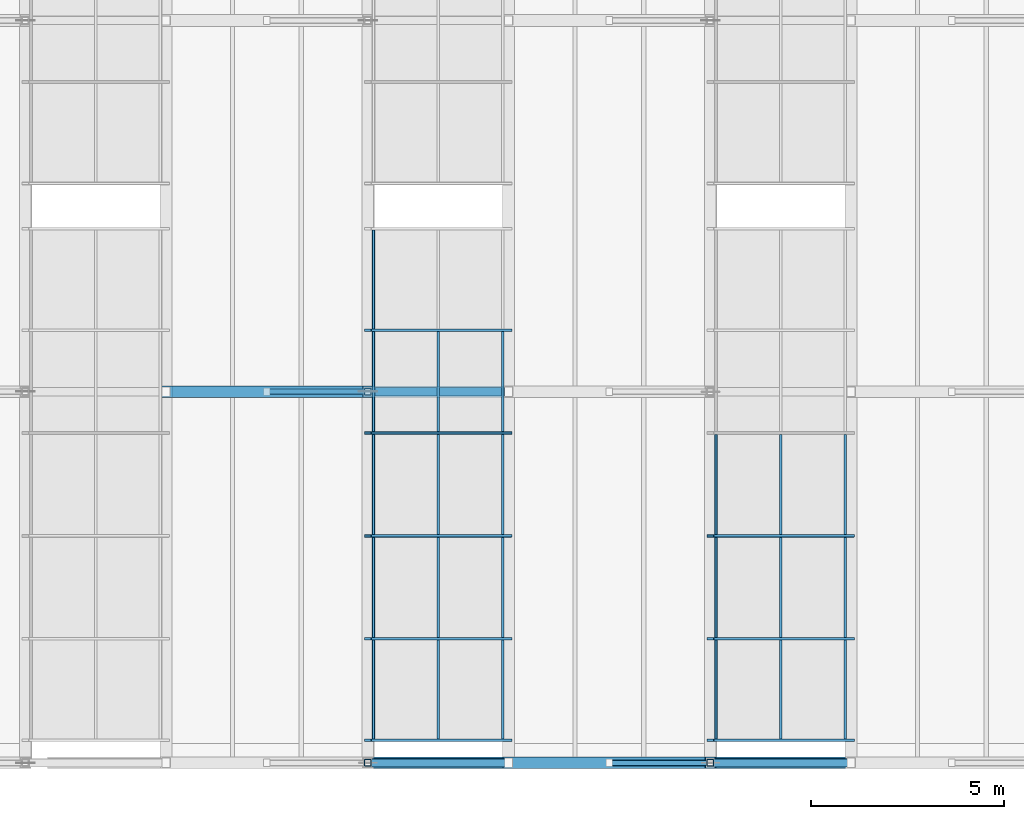
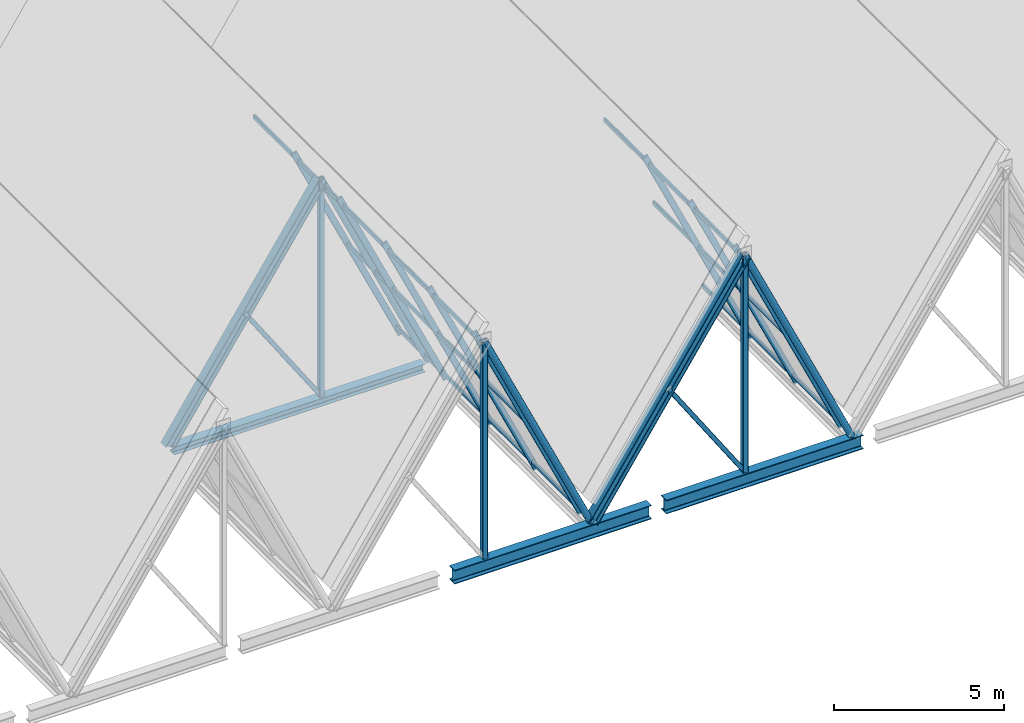
# One storey, part 43 of 99: 41 members, 2 beams, 2 elements without a shape of their own.
"""IFC4 building model written with IfcOpenShell, lengths in metres."""

from ifc_helpers import new_model, si_unit, direction, frame, origin, origin_2d, place, context, subcontext, project, spatial, hollow_rectangle, hollow_circle, i_section, extrude, material, material_profile, profile_set, type_object, element, aggregate, save


model = new_model("IFC4")

# Units and contexts
model_context = context("Model", 3, precision=1e-05, world=origin(), true_north=direction((0.0, 1.0)))
body_context = subcontext(model_context, "Body", "Model", "MODEL_VIEW")
ifc_project = project(units=[si_unit("LENGTHUNIT", "METRE"), si_unit("AREAUNIT", "SQUARE_METRE"), si_unit("VOLUMEUNIT", "CUBIC_METRE"), si_unit("PLANEANGLEUNIT", "RADIAN"), si_unit("MASSUNIT", "GRAM", prefix="KILO")], contexts=[model_context])

# Site, building, storey
site_placement = place(None, origin())
site = spatial("IfcSite", under=ifc_project, at=site_placement, CompositionType="ELEMENT")
building_placement = place(site_placement, origin())
building = spatial("IfcBuilding", under=site, at=building_placement, Name="Bramveld Media Centre", CompositionType="ELEMENT")
storey_placement = place(building_placement, frame((0.0, 0.0, 13.800048828125)))
storey = spatial("IfcBuildingStorey", under=building, at=storey_placement, Name="L03", CompositionType="ELEMENT", Elevation=13.800048828125)

# Curtain wall, members
ifc_material_1 = material(Name="Thermally broken anodized bronze aluminium unitized curtain wall with solar-control triple glazing", Category="aluminium")
curtain_wall_type = type_object("IfcCurtainWallType", Name="CW-SAW-13300x8606", PredefinedType="NOTDEFINED", material=ifc_material_1)
curtain_wall_1_placement = place(storey_placement, origin())
curtain_wall_1 = element("IfcCurtainWall", 1, at=curtain_wall_1_placement, inside=storey, type_object=curtain_wall_type, Name="V1 sawtooth north-light clerestory B3-S1", PredefinedType="NOTDEFINED")
ifc_material_2 = material(Name="Thermally broken anodized bronze aluminium EN AW-6063 T6 curtain-wall framing", Category="aluminium")
ifc_material_profile_1 = material_profile(ifc_material_2, hollow_rectangle(XDim=0.070068359375, YDim=0.199951171875, WallThickness=0.00439453125, InnerFilletRadius=0.00439453125, OuterFilletRadius=0.009033203125, at=origin_2d()), Name="AL-MULL 70x200")
ifc_profile_set_1 = profile_set([ifc_material_profile_1], Name="Thermally broken anodized bronze aluminium EN AW-6063 T6 curtain-wall framing")
member_type_1 = type_object("IfcMemberType", Name="CW-MULL-SLP", PredefinedType="MULLION", material=ifc_profile_set_1)
member_1_placement = place(storey_placement, frame((150.5712890625, 0.5849609375, -0.02001953125), z_axis=(-0.423956992265, 0.0, 0.90568232218), x_axis=(0.0, -1.0, 0.0)))
member_1 = element("IfcMember", 2, at=member_1_placement, type_object=member_type_1, Name="CW-SA-13386 sloped mullion 1", PredefinedType="MULLION", context=body_context, shape_type="SweptSolid", body=[
    extrude(hollow_rectangle(XDim=0.070068359375, YDim=0.199951171875, WallThickness=0.00439453125, InnerFilletRadius=0.00439453125, OuterFilletRadius=0.009033203125, at=origin_2d()), origin(), (0.0, 0.0, 1.0), 8.5791015625),
])
member_2_placement = place(storey_placement, frame((150.5712890625, 3.2099609375, -0.02001953125), z_axis=(-0.423956992265, 0.0, 0.90568232218), x_axis=(0.0, -1.0, 0.0)))
member_2 = element("IfcMember", 3, at=member_2_placement, type_object=member_type_1, Name="CW-SA-13386 sloped mullion 2", PredefinedType="MULLION", context=body_context, shape_type="SweptSolid", body=[
    extrude(hollow_rectangle(XDim=0.070068359375, YDim=0.199951171875, WallThickness=0.00439453125, InnerFilletRadius=0.00439453125, OuterFilletRadius=0.009033203125, at=origin_2d()), origin(), (0.0, 0.0, 1.0), 8.5791015625),
])
member_3_placement = place(storey_placement, frame((150.5712890625, 5.8701171875, -0.02001953125), z_axis=(-0.423956992265, 0.0, 0.90568232218), x_axis=(0.0, -1.0, 0.0)))
member_3 = element("IfcMember", 4, at=member_3_placement, type_object=member_type_1, Name="CW-SA-13386 sloped mullion 3", PredefinedType="MULLION", context=body_context, shape_type="SweptSolid", body=[
    extrude(hollow_rectangle(XDim=0.070068359375, YDim=0.199951171875, WallThickness=0.00439453125, InnerFilletRadius=0.00439453125, OuterFilletRadius=0.009033203125, at=origin_2d()), origin(), (0.0, 0.0, 1.0), 8.5791015625),
])
member_4_placement = place(storey_placement, frame((150.5712890625, 8.530029296875, -0.02001953125), z_axis=(-0.423956992265, 0.0, 0.90568232218), x_axis=(0.0, -1.0, 0.0)))
member_4 = element("IfcMember", 5, at=member_4_placement, type_object=member_type_1, Name="CW-SA-13386 sloped mullion 4", PredefinedType="MULLION", context=body_context, shape_type="SweptSolid", body=[
    extrude(hollow_rectangle(XDim=0.070068359375, YDim=0.199951171875, WallThickness=0.00439453125, InnerFilletRadius=0.00439453125, OuterFilletRadius=0.009033203125, at=origin_2d()), origin(), (0.0, 0.0, 1.0), 8.5791015625),
])
member_5_placement = place(storey_placement, frame((150.5712890625, 11.18994140625, -0.02001953125), z_axis=(-0.423956992265, 0.0, 0.90568232218), x_axis=(0.0, -1.0, 0.0)))
member_5 = element("IfcMember", 6, at=member_5_placement, type_object=member_type_1, Name="CW-SA-13386 sloped mullion 5", PredefinedType="MULLION", context=body_context, shape_type="SweptSolid", body=[
    extrude(hollow_rectangle(XDim=0.070068359375, YDim=0.199951171875, WallThickness=0.00439453125, InnerFilletRadius=0.00439453125, OuterFilletRadius=0.009033203125, at=origin_2d()), origin(), (0.0, 0.0, 1.0), 8.5791015625),
])

curtain_wall_2_placement = place(storey_placement, origin())
curtain_wall_2 = element("IfcCurtainWall", 7, at=curtain_wall_2_placement, inside=storey, type_object=curtain_wall_type, Name="V1 sawtooth north-light clerestory B4-S1", PredefinedType="NOTDEFINED")
member_6_placement = place(storey_placement, frame((159.4287109375, 0.5849609375, -0.02001953125), z_axis=(-0.423980334249, 0.0, 0.905671395248), x_axis=(0.0, -1.0, 0.0)))
member_6 = element("IfcMember", 8, at=member_6_placement, type_object=member_type_1, Name="CW-SA-13386 sloped mullion 1", PredefinedType="MULLION", context=body_context, shape_type="SweptSolid", body=[
    extrude(hollow_rectangle(XDim=0.070068359375, YDim=0.199951171875, WallThickness=0.00439453125, InnerFilletRadius=0.00439453125, OuterFilletRadius=0.009033203125, at=origin_2d()), origin(), (0.0, 0.0, 1.0), 8.579345703125),
])
member_7_placement = place(storey_placement, frame((159.4287109375, 3.2099609375, -0.02001953125), z_axis=(-0.423980334249, 0.0, 0.905671395248), x_axis=(0.0, -1.0, 0.0)))
member_7 = element("IfcMember", 9, at=member_7_placement, type_object=member_type_1, Name="CW-SA-13386 sloped mullion 2", PredefinedType="MULLION", context=body_context, shape_type="SweptSolid", body=[
    extrude(hollow_rectangle(XDim=0.070068359375, YDim=0.199951171875, WallThickness=0.00439453125, InnerFilletRadius=0.00439453125, OuterFilletRadius=0.009033203125, at=origin_2d()), origin(), (0.0, 0.0, 1.0), 8.579345703125),
])
member_8_placement = place(storey_placement, frame((159.4287109375, 5.8701171875, -0.02001953125), z_axis=(-0.423980334249, 0.0, 0.905671395248), x_axis=(0.0, -1.0, 0.0)))
member_8 = element("IfcMember", 10, at=member_8_placement, type_object=member_type_1, Name="CW-SA-13386 sloped mullion 3", PredefinedType="MULLION", context=body_context, shape_type="SweptSolid", body=[
    extrude(hollow_rectangle(XDim=0.070068359375, YDim=0.199951171875, WallThickness=0.00439453125, InnerFilletRadius=0.00439453125, OuterFilletRadius=0.009033203125, at=origin_2d()), origin(), (0.0, 0.0, 1.0), 8.579345703125),
])

# Member
ifc_material_3 = material(Name="Thermally broken anodized bronze aluminium EN AW-6063 T6 curtain-wall framing", Category="aluminium")
ifc_material_profile_2 = material_profile(ifc_material_3, hollow_rectangle(XDim=0.070068359375, YDim=0.14990234375, WallThickness=0.00390625, InnerFilletRadius=0.00390625, OuterFilletRadius=0.008056640625, at=origin_2d()), Name="AL-TRAN 70x150")
ifc_profile_set_2 = profile_set([ifc_material_profile_2], Name="Thermally broken anodized bronze aluminium EN AW-6063 T6 curtain-wall framing")
member_type_2 = type_object("IfcMemberType", Name="CW-TRAN-SLP", PredefinedType="USERDEFINED", material=ifc_profile_set_2)
member_9_placement = place(storey_placement, frame((150.42578125, 0.6201171875, 0.290771484375), z_axis=(0.0, 1.0, 0.0), x_axis=(-1.0, 0.0, 0.0)))
member_9 = element("IfcMember", 11, at=member_9_placement, type_object=member_type_2, Name="CW-SA-13386 transom 1.1", ObjectType="TRANSOM", PredefinedType="USERDEFINED", context=body_context, shape_type="SweptSolid", body=[
    extrude(hollow_rectangle(XDim=0.070068359375, YDim=0.14990234375, WallThickness=0.00390625, InnerFilletRadius=0.00390625, OuterFilletRadius=0.008056640625, at=origin_2d()), origin(), (0.0, 0.0, 1.0), 2.554931640625),
])

member_10_placement = place(storey_placement, frame((148.752685546875, 0.6201171875, 3.864990234375), z_axis=(0.0, 1.0, 0.0), x_axis=(-1.0, 0.0, 0.0)))
member_10 = element("IfcMember", 12, at=member_10_placement, type_object=member_type_2, Name="CW-SA-13386 transom 1.2", ObjectType="TRANSOM", PredefinedType="USERDEFINED", context=body_context, shape_type="SweptSolid", body=[
    extrude(hollow_rectangle(XDim=0.070068359375, YDim=0.14990234375, WallThickness=0.00390625, InnerFilletRadius=0.00390625, OuterFilletRadius=0.008056640625, at=origin_2d()), origin(), (0.0, 0.0, 1.0), 2.554931640625),
])

member_11_placement = place(storey_placement, frame((147.07958984375, 0.6201171875, 7.439208984375), z_axis=(0.0, 1.0, 0.0), x_axis=(-1.0, 0.0, 0.0)))
member_11 = element("IfcMember", 13, at=member_11_placement, type_object=member_type_2, Name="CW-SA-13386 transom 1.3", ObjectType="TRANSOM", PredefinedType="USERDEFINED", context=body_context, shape_type="SweptSolid", body=[
    extrude(hollow_rectangle(XDim=0.070068359375, YDim=0.14990234375, WallThickness=0.00390625, InnerFilletRadius=0.00390625, OuterFilletRadius=0.008056640625, at=origin_2d()), origin(), (0.0, 0.0, 1.0), 2.554931640625),
])

member_12_placement = place(storey_placement, frame((150.42578125, 3.2451171875, 0.290771484375), z_axis=(0.0, 1.0, 0.0), x_axis=(-1.0, 0.0, 0.0)))
member_12 = element("IfcMember", 14, at=member_12_placement, type_object=member_type_2, Name="CW-SA-13386 transom 2.1", ObjectType="TRANSOM", PredefinedType="USERDEFINED", context=body_context, shape_type="SweptSolid", body=[
    extrude(hollow_rectangle(XDim=0.070068359375, YDim=0.14990234375, WallThickness=0.00390625, InnerFilletRadius=0.00390625, OuterFilletRadius=0.008056640625, at=origin_2d()), origin(), (0.0, 0.0, 1.0), 2.58984375),
])

member_13_placement = place(storey_placement, frame((148.752685546875, 3.2451171875, 3.864990234375), z_axis=(0.0, 1.0, 0.0), x_axis=(-1.0, 0.0, 0.0)))
member_13 = element("IfcMember", 15, at=member_13_placement, type_object=member_type_2, Name="CW-SA-13386 transom 2.2", ObjectType="TRANSOM", PredefinedType="USERDEFINED", context=body_context, shape_type="SweptSolid", body=[
    extrude(hollow_rectangle(XDim=0.070068359375, YDim=0.14990234375, WallThickness=0.00390625, InnerFilletRadius=0.00390625, OuterFilletRadius=0.008056640625, at=origin_2d()), origin(), (0.0, 0.0, 1.0), 2.58984375),
])

member_14_placement = place(storey_placement, frame((147.07958984375, 3.2451171875, 7.439208984375), z_axis=(0.0, 1.0, 0.0), x_axis=(-1.0, 0.0, 0.0)))
member_14 = element("IfcMember", 16, at=member_14_placement, type_object=member_type_2, Name="CW-SA-13386 transom 2.3", ObjectType="TRANSOM", PredefinedType="USERDEFINED", context=body_context, shape_type="SweptSolid", body=[
    extrude(hollow_rectangle(XDim=0.070068359375, YDim=0.14990234375, WallThickness=0.00390625, InnerFilletRadius=0.00390625, OuterFilletRadius=0.008056640625, at=origin_2d()), origin(), (0.0, 0.0, 1.0), 2.58984375),
])

member_15_placement = place(storey_placement, frame((150.42578125, 5.905029296875, 0.290771484375), z_axis=(0.0, 1.0, 0.0), x_axis=(-1.0, 0.0, 0.0)))
member_15 = element("IfcMember", 17, at=member_15_placement, type_object=member_type_2, Name="CW-SA-13386 transom 3.1", ObjectType="TRANSOM", PredefinedType="USERDEFINED", context=body_context, shape_type="SweptSolid", body=[
    extrude(hollow_rectangle(XDim=0.070068359375, YDim=0.14990234375, WallThickness=0.00390625, InnerFilletRadius=0.00390625, OuterFilletRadius=0.008056640625, at=origin_2d()), origin(), (0.0, 0.0, 1.0), 2.590087890625),
])

member_16_placement = place(storey_placement, frame((148.752685546875, 5.905029296875, 3.864990234375), z_axis=(0.0, 1.0, 0.0), x_axis=(-1.0, 0.0, 0.0)))
member_16 = element("IfcMember", 18, at=member_16_placement, type_object=member_type_2, Name="CW-SA-13386 transom 3.2", ObjectType="TRANSOM", PredefinedType="USERDEFINED", context=body_context, shape_type="SweptSolid", body=[
    extrude(hollow_rectangle(XDim=0.070068359375, YDim=0.14990234375, WallThickness=0.00390625, InnerFilletRadius=0.00390625, OuterFilletRadius=0.008056640625, at=origin_2d()), origin(), (0.0, 0.0, 1.0), 2.590087890625),
])

member_17_placement = place(storey_placement, frame((147.07958984375, 5.905029296875, 7.439208984375), z_axis=(0.0, 1.0, 0.0), x_axis=(-1.0, 0.0, 0.0)))
member_17 = element("IfcMember", 19, at=member_17_placement, type_object=member_type_2, Name="CW-SA-13386 transom 3.3", ObjectType="TRANSOM", PredefinedType="USERDEFINED", context=body_context, shape_type="SweptSolid", body=[
    extrude(hollow_rectangle(XDim=0.070068359375, YDim=0.14990234375, WallThickness=0.00390625, InnerFilletRadius=0.00390625, OuterFilletRadius=0.008056640625, at=origin_2d()), origin(), (0.0, 0.0, 1.0), 2.590087890625),
])

member_18_placement = place(storey_placement, frame((150.42578125, 8.56494140625, 0.290771484375), z_axis=(0.0, 1.0, 0.0), x_axis=(-1.0, 0.0, 0.0)))
member_18 = element("IfcMember", 20, at=member_18_placement, type_object=member_type_2, Name="CW-SA-13386 transom 4.1", ObjectType="TRANSOM", PredefinedType="USERDEFINED", context=body_context, shape_type="SweptSolid", body=[
    extrude(hollow_rectangle(XDim=0.070068359375, YDim=0.14990234375, WallThickness=0.00390625, InnerFilletRadius=0.00390625, OuterFilletRadius=0.008056640625, at=origin_2d()), origin(), (0.0, 0.0, 1.0), 2.590087890625),
])

member_19_placement = place(storey_placement, frame((148.752685546875, 8.56494140625, 3.864990234375), z_axis=(0.0, 1.0, 0.0), x_axis=(-1.0, 0.0, 0.0)))
member_19 = element("IfcMember", 21, at=member_19_placement, type_object=member_type_2, Name="CW-SA-13386 transom 4.2", ObjectType="TRANSOM", PredefinedType="USERDEFINED", context=body_context, shape_type="SweptSolid", body=[
    extrude(hollow_rectangle(XDim=0.070068359375, YDim=0.14990234375, WallThickness=0.00390625, InnerFilletRadius=0.00390625, OuterFilletRadius=0.008056640625, at=origin_2d()), origin(), (0.0, 0.0, 1.0), 2.590087890625),
])

member_20_placement = place(storey_placement, frame((147.07958984375, 8.56494140625, 7.439208984375), z_axis=(0.0, 1.0, 0.0), x_axis=(-1.0, 0.0, 0.0)))
member_20 = element("IfcMember", 22, at=member_20_placement, type_object=member_type_2, Name="CW-SA-13386 transom 4.3", ObjectType="TRANSOM", PredefinedType="USERDEFINED", context=body_context, shape_type="SweptSolid", body=[
    extrude(hollow_rectangle(XDim=0.070068359375, YDim=0.14990234375, WallThickness=0.00390625, InnerFilletRadius=0.00390625, OuterFilletRadius=0.008056640625, at=origin_2d()), origin(), (0.0, 0.0, 1.0), 2.590087890625),
])

member_21_placement = place(storey_placement, frame((147.07958984375, 11.22509765625, 7.439208984375), z_axis=(0.0, 1.0, 0.0), x_axis=(-1.0, 0.0, 0.0)))
member_21 = element("IfcMember", 23, at=member_21_placement, type_object=member_type_2, Name="CW-SA-13386 transom 5.3", ObjectType="TRANSOM", PredefinedType="USERDEFINED", context=body_context, shape_type="SweptSolid", body=[
    extrude(hollow_rectangle(XDim=0.070068359375, YDim=0.14990234375, WallThickness=0.00390625, InnerFilletRadius=0.00390625, OuterFilletRadius=0.008056640625, at=origin_2d()), origin(), (0.0, 0.0, 1.0), 2.554931640625),
])

aggregate(curtain_wall_1, [member_1, member_2, member_3, member_4, member_5, member_9, member_10, member_11, member_12, member_13, member_14, member_15, member_16, member_17, member_18, member_19, member_20, member_21])

member_22_placement = place(storey_placement, frame((159.283203125, 0.6201171875, 0.290771484375), z_axis=(0.0, 1.0, 0.0), x_axis=(-1.0, 0.0, 0.0)))
member_22 = element("IfcMember", 24, at=member_22_placement, type_object=member_type_2, Name="CW-SA-13386 transom 1.1", ObjectType="TRANSOM", PredefinedType="USERDEFINED", context=body_context, shape_type="SweptSolid", body=[
    extrude(hollow_rectangle(XDim=0.070068359375, YDim=0.14990234375, WallThickness=0.00390625, InnerFilletRadius=0.00390625, OuterFilletRadius=0.008056640625, at=origin_2d()), origin(), (0.0, 0.0, 1.0), 2.554931640625),
])

member_23_placement = place(storey_placement, frame((157.60986328125, 0.6201171875, 3.864990234375), z_axis=(0.0, 1.0, 0.0), x_axis=(-1.0, 0.0, 0.0)))
member_23 = element("IfcMember", 25, at=member_23_placement, type_object=member_type_2, Name="CW-SA-13386 transom 1.2", ObjectType="TRANSOM", PredefinedType="USERDEFINED", context=body_context, shape_type="SweptSolid", body=[
    extrude(hollow_rectangle(XDim=0.070068359375, YDim=0.14990234375, WallThickness=0.00390625, InnerFilletRadius=0.00390625, OuterFilletRadius=0.008056640625, at=origin_2d()), origin(), (0.0, 0.0, 1.0), 2.554931640625),
])

member_24_placement = place(storey_placement, frame((155.936767578125, 0.6201171875, 7.439208984375), z_axis=(0.0, 1.0, 0.0), x_axis=(-1.0, 0.0, 0.0)))
member_24 = element("IfcMember", 26, at=member_24_placement, type_object=member_type_2, Name="CW-SA-13386 transom 1.3", ObjectType="TRANSOM", PredefinedType="USERDEFINED", context=body_context, shape_type="SweptSolid", body=[
    extrude(hollow_rectangle(XDim=0.070068359375, YDim=0.14990234375, WallThickness=0.00390625, InnerFilletRadius=0.00390625, OuterFilletRadius=0.008056640625, at=origin_2d()), origin(), (0.0, 0.0, 1.0), 2.554931640625),
])

member_25_placement = place(storey_placement, frame((159.283203125, 3.2451171875, 0.290771484375), z_axis=(0.0, 1.0, 0.0), x_axis=(-1.0, 0.0, 0.0)))
member_25 = element("IfcMember", 27, at=member_25_placement, type_object=member_type_2, Name="CW-SA-13386 transom 2.1", ObjectType="TRANSOM", PredefinedType="USERDEFINED", context=body_context, shape_type="SweptSolid", body=[
    extrude(hollow_rectangle(XDim=0.070068359375, YDim=0.14990234375, WallThickness=0.00390625, InnerFilletRadius=0.00390625, OuterFilletRadius=0.008056640625, at=origin_2d()), origin(), (0.0, 0.0, 1.0), 2.58984375),
])

member_26_placement = place(storey_placement, frame((157.60986328125, 3.2451171875, 3.864990234375), z_axis=(0.0, 1.0, 0.0), x_axis=(-1.0, 0.0, 0.0)))
member_26 = element("IfcMember", 28, at=member_26_placement, type_object=member_type_2, Name="CW-SA-13386 transom 2.2", ObjectType="TRANSOM", PredefinedType="USERDEFINED", context=body_context, shape_type="SweptSolid", body=[
    extrude(hollow_rectangle(XDim=0.070068359375, YDim=0.14990234375, WallThickness=0.00390625, InnerFilletRadius=0.00390625, OuterFilletRadius=0.008056640625, at=origin_2d()), origin(), (0.0, 0.0, 1.0), 2.58984375),
])

member_27_placement = place(storey_placement, frame((155.936767578125, 3.2451171875, 7.439208984375), z_axis=(0.0, 1.0, 0.0), x_axis=(-1.0, 0.0, 0.0)))
member_27 = element("IfcMember", 29, at=member_27_placement, type_object=member_type_2, Name="CW-SA-13386 transom 2.3", ObjectType="TRANSOM", PredefinedType="USERDEFINED", context=body_context, shape_type="SweptSolid", body=[
    extrude(hollow_rectangle(XDim=0.070068359375, YDim=0.14990234375, WallThickness=0.00390625, InnerFilletRadius=0.00390625, OuterFilletRadius=0.008056640625, at=origin_2d()), origin(), (0.0, 0.0, 1.0), 2.58984375),
])

member_28_placement = place(storey_placement, frame((159.283203125, 5.905029296875, 0.290771484375), z_axis=(0.0, 1.0, 0.0), x_axis=(-1.0, 0.0, 0.0)))
member_28 = element("IfcMember", 30, at=member_28_placement, type_object=member_type_2, Name="CW-SA-13386 transom 3.1", ObjectType="TRANSOM", PredefinedType="USERDEFINED", context=body_context, shape_type="SweptSolid", body=[
    extrude(hollow_rectangle(XDim=0.070068359375, YDim=0.14990234375, WallThickness=0.00390625, InnerFilletRadius=0.00390625, OuterFilletRadius=0.008056640625, at=origin_2d()), origin(), (0.0, 0.0, 1.0), 2.590087890625),
])

member_29_placement = place(storey_placement, frame((157.60986328125, 5.905029296875, 3.864990234375), z_axis=(0.0, 1.0, 0.0), x_axis=(-1.0, 0.0, 0.0)))
member_29 = element("IfcMember", 31, at=member_29_placement, type_object=member_type_2, Name="CW-SA-13386 transom 3.2", ObjectType="TRANSOM", PredefinedType="USERDEFINED", context=body_context, shape_type="SweptSolid", body=[
    extrude(hollow_rectangle(XDim=0.070068359375, YDim=0.14990234375, WallThickness=0.00390625, InnerFilletRadius=0.00390625, OuterFilletRadius=0.008056640625, at=origin_2d()), origin(), (0.0, 0.0, 1.0), 2.590087890625),
])

member_30_placement = place(storey_placement, frame((155.936767578125, 5.905029296875, 7.439208984375), z_axis=(0.0, 1.0, 0.0), x_axis=(-1.0, 0.0, 0.0)))
member_30 = element("IfcMember", 32, at=member_30_placement, type_object=member_type_2, Name="CW-SA-13386 transom 3.3", ObjectType="TRANSOM", PredefinedType="USERDEFINED", context=body_context, shape_type="SweptSolid", body=[
    extrude(hollow_rectangle(XDim=0.070068359375, YDim=0.14990234375, WallThickness=0.00390625, InnerFilletRadius=0.00390625, OuterFilletRadius=0.008056640625, at=origin_2d()), origin(), (0.0, 0.0, 1.0), 2.590087890625),
])

aggregate(curtain_wall_2, [member_6, member_7, member_8, member_22, member_23, member_24, member_25, member_26, member_27, member_28, member_29, member_30])

# Members
ifc_material_4 = material(Name="Steel S355J2H", Category="steel")
ifc_material_profile_3 = material_profile(ifc_material_4, hollow_circle(Radius=0.109619140625, WallThickness=0.012451171875, at=origin_2d()), Name="CHS 219.1x12.5")
ifc_profile_set_3 = profile_set([ifc_material_profile_3], Name="Steel S355J2H")
member_type_3 = type_object("IfcMemberType", Name="MEM-BRACE-CHS219", PredefinedType="BRACE", material=ifc_profile_set_3)
for number, where, z_axis, x_axis, name in (
    (33, (150.5712890625, 0.0, 0.0), (-0.422616785161, 0.0, 0.906308475575), (0.0, -1.0, 0.0), "TRUSS-V1-B03-F1 north-light strut"),
    (34, (150.5712890625, 9.60009765625, 0.0), (-0.422616785161, 0.0, 0.906308475575), (0.0, -1.0, 0.0), "TRUSS-V1-B03-F2 north-light strut"),
    (35, (159.4287109375, 0.0, 0.0), (-0.422640085544, 0.0, 0.90629761011), (0.0, -1.0, 0.0), "TRUSS-V1-B04-F1 north-light strut"),
):
    element("IfcMember", number, at=place(storey_placement, frame(where, z_axis=z_axis, x_axis=x_axis)), inside=storey, type_object=member_type_3, Name=name, PredefinedType="BRACE", context=body_context, shape_type="SweptSolid", body=[
        extrude(hollow_circle(Radius=0.109619140625, WallThickness=0.012451171875, at=origin_2d()), origin(), (0.0, 0.0, 1.0), 8.6064453125),
    ])
ifc_material_5 = material(Name="Steel S355J2H", Category="steel")
ifc_material_profile_4 = material_profile(ifc_material_5, hollow_rectangle(XDim=0.14990234375, YDim=0.14990234375, WallThickness=0.010009765625, InnerFilletRadius=0.010009765625, OuterFilletRadius=0.02001953125, at=origin_2d()), Name="SHS 150x150x10")
ifc_profile_set_4 = profile_set([ifc_material_profile_4], Name="Steel S355J2H")
member_type_4 = type_object("IfcMemberType", Name="MEM-BRACE-SHS150", PredefinedType="BRACE", material=ifc_profile_set_4)
for number, where, z_axis, x_axis, name in (
    (36, (146.93408203125, 9.60009765625, 0.0), (-0.55616408489, 0.0, 0.83107250627), (0.0, -1.0, 0.0), "TRUSS-V1-B03-F2 web diagonal"),
    (37, (155.791259765625, 0.0, 0.0), (-0.55616408489, 0.0, 0.83107250627), (0.0, -1.0, 0.0), "TRUSS-V1-B04-F1 web diagonal"),
):
    element("IfcMember", number, at=place(storey_placement, frame(where, z_axis=z_axis, x_axis=x_axis)), inside=storey, type_object=member_type_4, Name=name, PredefinedType="BRACE", context=body_context, shape_type="SweptSolid", body=[
        extrude(hollow_rectangle(XDim=0.14990234375, YDim=0.14990234375, WallThickness=0.010009765625, InnerFilletRadius=0.010009765625, OuterFilletRadius=0.02001953125, at=origin_2d()), origin(), (0.0, 0.0, 1.0), 4.692626953125),
    ])
ifc_material_6 = material(Name="Steel S355J2", Category="steel")
ifc_material_profile_5 = material_profile(ifc_material_6, i_section(OverallWidth=0.300048828125, OverallDepth=0.2900390625, WebThickness=0.008544921875, FlangeThickness=0.013916015625, FilletRadius=0.027099609375, at=origin_2d()), Name="HEA 300")
ifc_profile_set_5 = profile_set([ifc_material_profile_5], Name="Steel S355J2")
member_type_5 = type_object("IfcMemberType", Name="MEM-CHORD-HEA300", PredefinedType="CHORD", material=ifc_profile_set_5)
member_31_placement = place(storey_placement, frame((141.874267578125, 9.60009765625, -0.14501953125), z_axis=(1.0, 0.0, 0.0), x_axis=(0.0, 1.0, 0.0)))
element("IfcMember", 38, at=member_31_placement, inside=storey, type_object=member_type_5, Name="TRUSS-V1-B03-F2 bottom tie chord", PredefinedType="CHORD", context=body_context, shape_type="SweptSolid", body=[
    extrude(i_section(OverallWidth=0.300048828125, OverallDepth=0.2900390625, WebThickness=0.008544921875, FlangeThickness=0.013916015625, FilletRadius=0.027099609375, at=origin_2d()), origin(), (0.0, 0.0, 1.0), 8.537109375),
])
ifc_material_7 = material(Name="Steel S355J2", Category="steel")
ifc_material_profile_6 = material_profile(ifc_material_7, i_section(OverallWidth=0.300048828125, OverallDepth=0.340087890625, WebThickness=0.011962890625, FlangeThickness=0.021484375, FilletRadius=0.027099609375, at=origin_2d()), Name="HEB 340")
ifc_profile_set_6 = profile_set([ifc_material_profile_6], Name="Steel S355J2")
member_type_6 = type_object("IfcMemberType", Name="MEM-CHORD-HEB340", PredefinedType="CHORD", material=ifc_profile_set_6)
for number, where, z_axis, x_axis, name in (
    (39, (141.71435546875, 9.60009765625, 0.0), (0.55615206142, 0.0, 0.8310805524), (0.0, 1.0, 0.0), "TRUSS-V1-B03-F2 top rafter chord"),
    (40, (150.5712890625, 0.0, 0.0), (0.556170027887, 0.0, 0.831068529112), (0.0, 1.0, 0.0), "TRUSS-V1-B04-F1 top rafter chord"),
):
    element("IfcMember", number, at=place(storey_placement, frame(where, z_axis=z_axis, x_axis=x_axis)), inside=storey, type_object=member_type_6, Name=name, PredefinedType="CHORD", context=body_context, shape_type="SweptSolid", body=[
        extrude(i_section(OverallWidth=0.300048828125, OverallDepth=0.340087890625, WebThickness=0.011962890625, FlangeThickness=0.021484375, FilletRadius=0.027099609375, at=origin_2d()), origin(), (0.0, 0.0, 1.0), 9.385498046875),
    ])
ifc_material_8 = material(Name="Steel S355J2H", Category="steel")
ifc_material_profile_7 = material_profile(ifc_material_8, hollow_rectangle(XDim=0.179931640625, YDim=0.179931640625, WallThickness=0.010009765625, InnerFilletRadius=0.010009765625, OuterFilletRadius=0.02001953125, at=origin_2d()), Name="SHS 180x180x10")
ifc_profile_set_7 = profile_set([ifc_material_profile_7], Name="Steel S355J2H")
member_type_7 = type_object("IfcMemberType", Name="MEM-POST-SHS180", PredefinedType="POST", material=ifc_profile_set_7)
for number, where, z_axis, x_axis, name in (
    (41, (146.93408203125, 0.0, 0.0), (0.0, 0.0, 1.0), (1.0, 0.0, 0.0), "TRUSS-V1-B03-F1 kingpost"),
    (42, (146.93408203125, 9.60009765625, 0.0), (0.0, 0.0, 1.0), (1.0, 0.0, 0.0), "TRUSS-V1-B03-F2 kingpost"),
    (43, (155.791259765625, 0.0, 0.0), (0.0, 0.0, 1.0), (1.0, 0.0, 0.0), "TRUSS-V1-B04-F1 kingpost"),
):
    element("IfcMember", number, at=place(storey_placement, frame(where, z_axis=z_axis, x_axis=x_axis)), inside=storey, type_object=member_type_7, Name=name, PredefinedType="POST", context=body_context, shape_type="SweptSolid", body=[
        extrude(hollow_rectangle(XDim=0.179931640625, YDim=0.179931640625, WallThickness=0.010009765625, InnerFilletRadius=0.010009765625, OuterFilletRadius=0.02001953125, at=origin_2d()), origin(), (0.0, 0.0, 1.0), 7.800048828125),
    ])

# Beams
ifc_material_9 = material(Name="Steel S355J2", Category="steel")
ifc_material_profile_8 = material_profile(ifc_material_9, i_section(OverallWidth=0.300048828125, OverallDepth=0.5, WebThickness=0.014404296875, FlangeThickness=0.028076171875, FilletRadius=0.027099609375, at=origin_2d()), Name="HEB 500")
ifc_profile_set_8 = profile_set([ifc_material_profile_8], Name="Steel S355J2")
beam_type = type_object("IfcBeamType", Name="SBM-EXT-HEB-500", PredefinedType="BEAM", material=ifc_profile_set_8)
for number, where, z_axis, x_axis, name in (
    (44, (145.85009765625, 0.0, -0.25), (1.0, 0.0, 0.0), (0.0, 1.0, 0.0), "V1 sawtooth tie girder"),
    (45, (153.050048828125, 0.0, -0.25), (1.0, 0.0, 0.0), (0.0, 1.0, 0.0), "V1 sawtooth tie girder"),
):
    element("IfcBeam", number, at=place(storey_placement, frame(where, z_axis=z_axis, x_axis=x_axis)), inside=storey, type_object=beam_type, Name=name, PredefinedType="BEAM", context=body_context, shape_type="SweptSolid", body=[
        extrude(i_section(OverallWidth=0.300048828125, OverallDepth=0.5, WebThickness=0.014404296875, FlangeThickness=0.028076171875, FilletRadius=0.027099609375, at=origin_2d()), origin(), (0.0, 0.0, 1.0), 6.699951171875),
    ])

save(model, "model.ifc")
